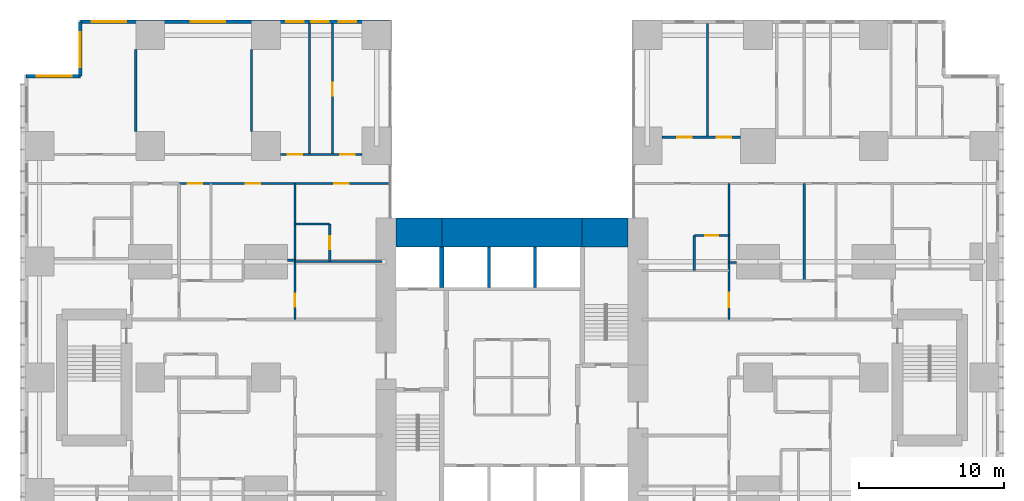
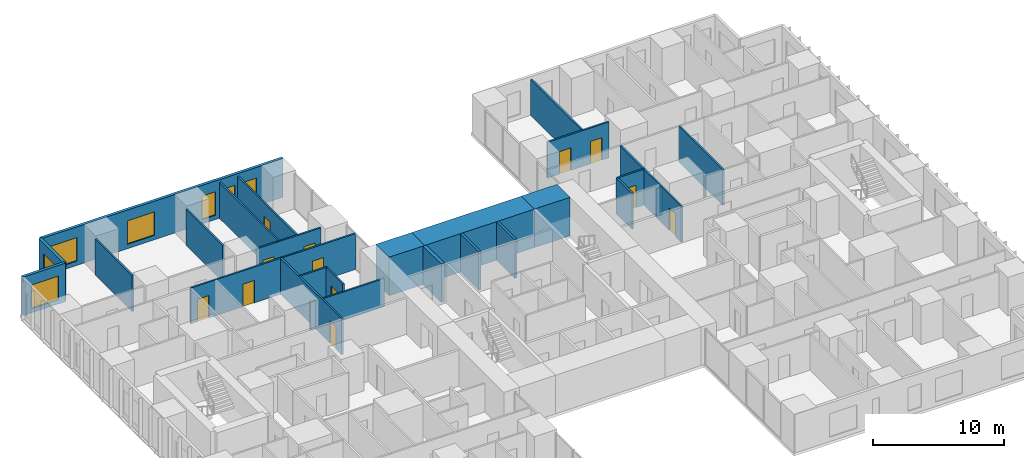
# One storey, part 17 of 20: 27 walls, 12 doors, 7 windows, 19 openings.
"""IFC4 building model written with IfcOpenShell, lengths in metres."""

import ifcopenshell
import ifcopenshell.guid

model = None  # the IFC model being written
_history = None  # IfcOwnerHistory: only IFC2X3 demands one
_inside = {}  # id of a spatial element -> (the spatial element, [elements in it])
_under = {}  # id of a project, library or spatial element -> (it, [spatial elements below it])
_declared = {}  # id of a project -> (the project, [libraries it declares])
_typed = {}  # id of a type object -> (the type object, [elements of that type])
_made_of = {}  # id of a material, layer set ... -> (it, [elements and type objects made of it])


def new_model(schema):
    """Start an empty IFC model of exactly this schema.

    Asked for "IFC4X3", IfcOpenShell would pick the latest addendum, in which some entities
    have other attributes; the version numbers below select the first issue.
    IFC2X3 requires an IfcOwnerHistory on every rooted entity: one is made here for all.
    """
    global model, _history
    if schema == "IFC4X3":
        model = ifcopenshell.file(schema_version=(4, 3, 0, 0))
    else:
        model = ifcopenshell.file(schema=schema)
    _inside.clear()
    _under.clear()
    _declared.clear()
    _typed.clear()
    _made_of.clear()
    _history = None
    if model.schema == "IFC2X3":
        org = make("IfcOrganization", Name="unknown")
        user = make(
            "IfcPersonAndOrganization",
            ThePerson=make("IfcPerson", FamilyName="unknown"),
            TheOrganization=org,
        )
        app = make(
            "IfcApplication",
            ApplicationDeveloper=org,
            Version="unknown",
            ApplicationFullName="unknown",
            ApplicationIdentifier="unknown",
        )
        _history = make(
            "IfcOwnerHistory",
            OwningUser=user,
            OwningApplication=app,
            ChangeAction="ADDED",
            CreationDate=0,
        )
    return model


def make(cls, **values):
    """One entity of the class cls with the attributes given. An attribute that is None is left unset."""
    return model.create_entity(
        cls, **{name: value for name, value in values.items() if value is not None}
    )


def rooted(cls, **values):
    """An entity with a GlobalId (a new one), such as an element, a storey or a relation."""
    return make(cls, GlobalId=ifcopenshell.guid.new(), OwnerHistory=_history, **values)


def si_unit(unit_type, name, prefix=None):
    """IfcSIUnit, for example si_unit("LENGTHUNIT", "METRE", prefix="MILLI")."""
    return make("IfcSIUnit", UnitType=unit_type, Prefix=prefix, Name=name)


def assignment(units):
    """IfcUnitAssignment: the units of a project."""
    return None if units is None else make("IfcUnitAssignment", Units=units)


def point(xyz):
    """IfcCartesianPoint."""
    return None if xyz is None else make("IfcCartesianPoint", Coordinates=xyz)


def direction(xyz):
    """IfcDirection."""
    return None if xyz is None else make("IfcDirection", DirectionRatios=xyz)


def frame(location, z_axis=None, x_axis=None):
    """IfcAxis2Placement3D, a coordinate frame: its origin and axes. An axis left out is left unset."""
    return make(
        "IfcAxis2Placement3D",
        Location=point(location),
        Axis=direction(z_axis),
        RefDirection=direction(x_axis),
    )


def frame_2d(location, x_axis=None):
    """IfcAxis2Placement2D, a coordinate frame in the plane: its origin and x axis."""
    return make(
        "IfcAxis2Placement2D", Location=point(location), RefDirection=direction(x_axis)
    )


def origin():
    """The frame at (0, 0, 0) with its axes left unset."""
    return frame((0.0, 0.0, 0.0))


def place(relative_to, where):
    """IfcLocalPlacement: puts the frame where relative to a parent placement (None: the world)."""
    return make(
        "IfcLocalPlacement", PlacementRelTo=relative_to, RelativePlacement=where
    )


def context(
    kind, dimensions, precision=None, world=None, true_north=None, identifier=None
):
    """IfcGeometricRepresentationContext, for example the 3D "Model" context."""
    return make(
        "IfcGeometricRepresentationContext",
        ContextIdentifier=identifier,
        ContextType=kind,
        CoordinateSpaceDimension=dimensions,
        Precision=precision,
        WorldCoordinateSystem=world,
        TrueNorth=true_north,
    )


def subcontext(parent, identifier, kind, view, scale=None):
    """IfcGeometricRepresentationSubContext, for example "Body" below "Model"."""
    return make(
        "IfcGeometricRepresentationSubContext",
        ContextIdentifier=identifier,
        ContextType=kind,
        ParentContext=parent,
        TargetScale=scale,
        TargetView=view,
    )


def project(units=None, contexts=None):
    """IfcProject with its units and contexts."""
    return rooted(
        "IfcProject",
        Name="project",
        RepresentationContexts=contexts,
        UnitsInContext=assignment(units),
    )


def spatial(cls, under=None, at=None, **own):
    """A site, building, storey or space (cls), placed at a placement, below another one or the project."""
    s = rooted(cls, ObjectPlacement=at, **own)
    if under is not None:
        _under.setdefault(under.id(), (under, []))[1].append(s)
    return s


def profile(cls, at=None, kind="AREA", **sizes):
    """A parametric profile (cls). Its sizes go by their IFC names, for example OverallWidth=200.0."""
    return make(cls, ProfileType=kind, Position=at, **sizes)


def rectangle(**sizes):
    """IfcRectangleProfileDef."""
    return profile("IfcRectangleProfileDef", **sizes)


def extrude(swept, where, along, depth):
    """IfcExtrudedAreaSolid: the profile swept, set in the frame where, extruded along a direction by depth."""
    return make(
        "IfcExtrudedAreaSolid",
        SweptArea=swept,
        Position=where,
        ExtrudedDirection=direction(along),
        Depth=depth,
    )


def shape(context_of_items, identifier, shape_type, items):
    """IfcShapeRepresentation: the items that make up one representation, for example the "Body"."""
    return make(
        "IfcShapeRepresentation",
        ContextOfItems=context_of_items,
        RepresentationIdentifier=identifier,
        RepresentationType=shape_type,
        Items=items,
    )


def material(Name=None, Category=None):
    """IfcMaterial."""
    return make("IfcMaterial", Name=Name, Category=Category)


def layer(
    of_material, thickness, ventilated=None, Name=None, Category=None, Priority=None
):
    """IfcMaterialLayer: one layer of a wall or slab, of a material (None: an air gap)."""
    return make(
        "IfcMaterialLayer",
        Material=of_material,
        LayerThickness=thickness,
        IsVentilated=ventilated,
        Name=Name,
        Category=Category,
        Priority=Priority,
    )


def layer_set(layers, Name=None):
    """IfcMaterialLayerSet."""
    return make("IfcMaterialLayerSet", MaterialLayers=layers, LayerSetName=Name)


def made_of(thing, what):
    """Note that an element or type object is made of a material, layer set ...; save() writes the relation."""
    if what is not None:
        _made_of.setdefault(what.id(), (what, []))[1].append(thing)
    return thing


def type_object(cls, material=None, **own):
    """A type object (cls), such as IfcWallType, which elements share."""
    return made_of(rooted(cls, **own), material)


def element(
    cls,
    number,
    at=None,
    inside=None,
    cuts=None,
    type_object=None,
    material=None,
    context=None,
    identifier="Body",
    shape_type=None,
    held_by="IfcProductDefinitionShape",
    body=None,
    shapes=None,
    **own,
):
    """One element of the class cls, such as IfcWall. Its Tag is "e" and its number.

    at: its placement. inside: the storey or other place that contains it. cuts: it is an
    opening in that element (IfcRelVoidsElement). A single representation is given by context,
    identifier, shape_type and body (its items); several are given by shapes. held_by: the class
    of the entity that holds the representations. save() writes the other relations.
    """
    e = rooted(cls, Tag="e%d" % number, ObjectPlacement=at, **own)
    if body is not None:
        shapes = [shape(context, identifier, shape_type, body)]
    if shapes is not None:
        e.Representation = make(held_by, Representations=shapes)
    if inside is not None:
        _inside.setdefault(inside.id(), (inside, []))[1].append(e)
    if cuts is not None:
        rooted(
            "IfcRelVoidsElement", RelatingBuildingElement=cuts, RelatedOpeningElement=e
        )
    if type_object is not None:
        _typed.setdefault(type_object.id(), (type_object, []))[1].append(e)
    return made_of(e, material)


def fill(opening, filler):
    """IfcRelFillsElement: the door or window that sits in an opening."""
    return rooted(
        "IfcRelFillsElement",
        RelatingOpeningElement=opening,
        RelatedBuildingElement=filler,
    )


def aggregate(whole, parts):
    """IfcRelAggregates: a whole, such as a stair, and the parts it consists of."""
    return rooted("IfcRelAggregates", RelatingObject=whole, RelatedObjects=parts)


def save(model, path):
    """Write the relations noted so far, then the file.

    IfcRelAggregates (storeys below a building ...), IfcRelContainedInSpatialStructure (elements
    in a storey), IfcRelDefinesByType, IfcRelAssociatesMaterial and IfcRelDeclares: one each for
    every whole, place, type object, material and project.
    """
    for whole, parts in _under.values():
        aggregate(whole, parts)
    for where, things in _inside.values():
        rooted(
            "IfcRelContainedInSpatialStructure",
            RelatedElements=things,
            RelatingStructure=where,
        )
    for kind, things in _typed.values():
        rooted("IfcRelDefinesByType", RelatedObjects=things, RelatingType=kind)
    for what, things in _made_of.values():
        rooted("IfcRelAssociatesMaterial", RelatedObjects=things, RelatingMaterial=what)
    for by, libraries in _declared.values():
        rooted("IfcRelDeclares", RelatingContext=by, RelatedDefinitions=libraries)
    model.write(path)


model = new_model("IFC4")

# Units and contexts
model_context = context("Model", 3, precision=1e-05, world=origin(), true_north=direction((0.0, 1.0)))
body_context = subcontext(model_context, "Body", "Model", "MODEL_VIEW")
ifc_project = project(units=[si_unit("LENGTHUNIT", "METRE"), si_unit("AREAUNIT", "SQUARE_METRE"), si_unit("VOLUMEUNIT", "CUBIC_METRE"), si_unit("PLANEANGLEUNIT", "RADIAN"), si_unit("MASSUNIT", "GRAM", prefix="KILO")], contexts=[model_context])

# Site, building, storey
site_placement = place(None, origin())
site = spatial("IfcSite", under=ifc_project, at=site_placement, CompositionType="ELEMENT")
building_placement = place(site_placement, origin())
building = spatial("IfcBuilding", under=site, at=building_placement, Name="Cleftline Residences", CompositionType="ELEMENT")
storey_placement = place(building_placement, frame((0.0, 0.0, 139.39990234375)))
storey = spatial("IfcBuildingStorey", under=building, at=storey_placement, Name="L36", CompositionType="ELEMENT", Elevation=139.39990234375)

# Walls
ifc_material_1 = material(Name="Concrete B70", Category="concrete")
ifc_layer_1 = layer(ifc_material_1, 2.0)
ifc_layer_set_1 = layer_set([ifc_layer_1], Name="CORE WALL 2000")
wall_type_1 = type_object("IfcWallType", Name="CORE WALL 2000", PredefinedType="SHEAR", material=ifc_layer_set_1)
wall_1_placement = place(storey_placement, frame((25.0, 34.0, 0.0), z_axis=(0.0, 0.0, 1.0), x_axis=(1.0, 0.0, 0.0)))
element("IfcWall", 1, at=wall_1_placement, inside=storey, type_object=wall_type_1, Name="Core wall N1", PredefinedType="SHEAR", context=body_context, shape_type="SweptSolid", body=[
    extrude(rectangle(XDim=3.14990234375, YDim=2.0, at=frame_2d((1.574951171875, 0.0))), origin(), (0.0, 0.0, 1.0), 3.60009765625),
])
wall_2_placement = place(storey_placement, frame((28.14990234375, 34.0, 0.0), z_axis=(0.0, 0.0, 1.0), x_axis=(1.0, 0.0, 0.0)))
element("IfcWall", 2, at=wall_2_placement, inside=storey, type_object=wall_type_1, Name="Core wall N2", PredefinedType="SHEAR", context=body_context, shape_type="SweptSolid", body=[
    extrude(rectangle(XDim=9.7001953125, YDim=2.0, at=frame_2d((4.85009765625, 0.0))), origin(), (0.0, 0.0, 1.0), 3.60009765625),
])
wall_3_placement = place(storey_placement, frame((37.85009765625, 34.0, 0.0), z_axis=(0.0, 0.0, 1.0), x_axis=(1.0, 0.0, 0.0)))
element("IfcWall", 3, at=wall_3_placement, inside=storey, type_object=wall_type_1, Name="Core wall N3", PredefinedType="SHEAR", context=body_context, shape_type="SweptSolid", body=[
    extrude(rectangle(XDim=3.14990234375, YDim=2.0, at=frame_2d((1.574951171875, 0.0))), origin(), (0.0, 0.0, 1.0), 3.60009765625),
])
ifc_material_2 = material(Name="Concrete B70", Category="concrete")
ifc_layer_2 = layer(ifc_material_2, 0.300048828125)
ifc_layer_set_2 = layer_set([ifc_layer_2], Name="CORE WALL 300")
wall_type_2 = type_object("IfcWallType", Name="CORE WALL 300", PredefinedType="SHEAR", material=ifc_layer_set_2)
wall_4_placement = place(storey_placement, frame((28.14990234375, 30.199951171875, 0.0), z_axis=(0.0, 0.0, 1.0), x_axis=(0.0, 1.0, 0.0)))
element("IfcWall", 4, at=wall_4_placement, inside=storey, type_object=wall_type_2, Name="Lift shaft wall", PredefinedType="SHEAR", context=body_context, shape_type="SweptSolid", body=[
    extrude(rectangle(XDim=2.800048828125, YDim=0.300048828125, at=frame_2d((1.39990234375, 0.0))), origin(), (0.0, 0.0, 1.0), 3.60009765625),
])

# Wall, openings, windows
ifc_material_3 = material(Name="Rendered reinforced concrete blockwork", Category="masonry")
ifc_layer_3 = layer(ifc_material_3, 0.25)
ifc_layer_set_3 = layer_set([ifc_layer_3], Name="EXTERNAL WALL 250")
wall_type_3 = type_object("IfcWallType", Name="EXTERNAL WALL 250", PredefinedType="SOLIDWALL", material=ifc_layer_set_3)
wall_5_placement = place(storey_placement, frame((24.574951171875, 48.574951171875, 0.0), z_axis=(0.0, 0.0, 1.0), x_axis=(-1.0, 0.0, 0.0)))
wall_5 = element("IfcWall", 5, at=wall_5_placement, inside=storey, type_object=wall_type_3, Name="External wall", PredefinedType="SOLIDWALL", context=body_context, shape_type="SweptSolid", body=[
    extrude(rectangle(XDim=21.39990234375, YDim=0.25, at=frame_2d((10.699951171875, 0.0))), origin(), (0.0, 0.0, 1.0), 3.60009765625),
])
opening_1_placement = place(wall_5_placement, frame((2.35009765625, 0.0, 0.39990234375)))
opening_1 = element("IfcOpeningElement", 6, at=opening_1_placement, cuts=wall_5, Name="Opening W11", PredefinedType="OPENING", context=body_context, shape_type="SweptSolid", body=[
    extrude(rectangle(XDim=1.199951171875, YDim=2.199951171875, at=frame_2d((0.60009765625, 1.10009765625))), frame((0.0, 0.135009765625, 0.0), z_axis=(0.0, -1.0, 0.0), x_axis=(1.0, 0.0, 0.0)), (0.0, 0.0, 1.0), 0.27001953125),
])
opening_2_placement = place(wall_5_placement, frame((4.25, 0.0, 0.39990234375)))
opening_2 = element("IfcOpeningElement", 7, at=opening_2_placement, cuts=wall_5, Name="Opening W11", PredefinedType="OPENING", context=body_context, shape_type="SweptSolid", body=[
    extrude(rectangle(XDim=1.199951171875, YDim=2.199951171875, at=frame_2d((0.60009765625, 1.10009765625))), frame((0.0, 0.135009765625, 0.0), z_axis=(0.0, -1.0, 0.0), x_axis=(1.0, 0.0, 0.0)), (0.0, 0.0, 1.0), 0.27001953125),
])
opening_3_placement = place(wall_5_placement, frame((5.97509765625, 0.0, 0.39990234375)))
opening_3 = element("IfcOpeningElement", 8, at=opening_3_placement, cuts=wall_5, Name="Opening W11", PredefinedType="OPENING", context=body_context, shape_type="SweptSolid", body=[
    extrude(rectangle(XDim=1.199951171875, YDim=2.199951171875, at=frame_2d((0.60009765625, 1.10009765625))), frame((0.0, 0.135009765625, 0.0), z_axis=(0.0, -1.0, 0.0), x_axis=(1.0, 0.0, 0.0)), (0.0, 0.0, 1.0), 0.27001953125),
])
opening_4_placement = place(wall_5_placement, frame((11.375, 0.0, 0.39990234375)))
opening_4 = element("IfcOpeningElement", 9, at=opening_4_placement, cuts=wall_5, Name="Opening W12", PredefinedType="OPENING", context=body_context, shape_type="SweptSolid", body=[
    extrude(rectangle(XDim=2.39990234375, YDim=2.199951171875, at=frame_2d((1.199951171875, 1.10009765625))), frame((0.0, 0.135009765625, 0.0), z_axis=(0.0, -1.0, 0.0), x_axis=(1.0, 0.0, 0.0)), (0.0, 0.0, 1.0), 0.27001953125),
])
opening_5_placement = place(wall_5_placement, frame((18.22509765625, 0.0, 0.39990234375)))
opening_5 = element("IfcOpeningElement", 10, at=opening_5_placement, cuts=wall_5, Name="Opening W12", PredefinedType="OPENING", context=body_context, shape_type="SweptSolid", body=[
    extrude(rectangle(XDim=2.39990234375, YDim=2.199951171875, at=frame_2d((1.199951171875, 1.10009765625))), frame((0.0, 0.135009765625, 0.0), z_axis=(0.0, -1.0, 0.0), x_axis=(1.0, 0.0, 0.0)), (0.0, 0.0, 1.0), 0.27001953125),
])
ifc_material_4 = material(Name="Aluminium frame, clear double glazing", Category="aluminium")
window_type_1 = type_object("IfcWindowType", Name="WINDOW 1200X2200", PartitioningType="DOUBLE_PANEL_VERTICAL", PredefinedType="WINDOW", material=ifc_material_4)
window_1_placement = place(opening_1_placement, origin())
window_1 = element("IfcWindow", 11, at=window_1_placement, inside=storey, type_object=window_type_1, Name="Window", OverallHeight=2.199951171875, OverallWidth=1.199951171875, PartitioningType="SINGLE_PANEL", PredefinedType="WINDOW", context=body_context, shape_type="SweptSolid", body=[
    extrude(rectangle(XDim=1.199951171875, YDim=2.199951171875, at=frame_2d((0.60009765625, 1.10009765625))), frame((0.0, 0.030029296875, 0.0), z_axis=(0.0, -1.0, 0.0), x_axis=(1.0, 0.0, 0.0)), (0.0, 0.0, 1.0), 0.06005859375),
])
fill(opening_1, window_1)
window_2_placement = place(opening_2_placement, origin())
window_2 = element("IfcWindow", 12, at=window_2_placement, inside=storey, type_object=window_type_1, Name="Window", OverallHeight=2.199951171875, OverallWidth=1.199951171875, PartitioningType="SINGLE_PANEL", PredefinedType="WINDOW", context=body_context, shape_type="SweptSolid", body=[
    extrude(rectangle(XDim=1.199951171875, YDim=2.199951171875, at=frame_2d((0.60009765625, 1.10009765625))), frame((0.0, 0.030029296875, 0.0), z_axis=(0.0, -1.0, 0.0), x_axis=(1.0, 0.0, 0.0)), (0.0, 0.0, 1.0), 0.06005859375),
])
fill(opening_2, window_2)
window_3_placement = place(opening_3_placement, origin())
window_3 = element("IfcWindow", 13, at=window_3_placement, inside=storey, type_object=window_type_1, Name="Window", OverallHeight=2.199951171875, OverallWidth=1.199951171875, PartitioningType="SINGLE_PANEL", PredefinedType="WINDOW", context=body_context, shape_type="SweptSolid", body=[
    extrude(rectangle(XDim=1.199951171875, YDim=2.199951171875, at=frame_2d((0.60009765625, 1.10009765625))), frame((0.0, 0.030029296875, 0.0), z_axis=(0.0, -1.0, 0.0), x_axis=(1.0, 0.0, 0.0)), (0.0, 0.0, 1.0), 0.06005859375),
])
fill(opening_3, window_3)
ifc_material_5 = material(Name="Aluminium frame, clear double glazing", Category="aluminium")
window_type_2 = type_object("IfcWindowType", Name="WINDOW 2400X2200", PartitioningType="DOUBLE_PANEL_VERTICAL", PredefinedType="WINDOW", material=ifc_material_5)
window_4_placement = place(opening_4_placement, origin())
window_4 = element("IfcWindow", 14, at=window_4_placement, inside=storey, type_object=window_type_2, Name="Window", OverallHeight=2.199951171875, OverallWidth=2.39990234375, PartitioningType="SINGLE_PANEL", PredefinedType="WINDOW", context=body_context, shape_type="SweptSolid", body=[
    extrude(rectangle(XDim=2.39990234375, YDim=2.199951171875, at=frame_2d((1.199951171875, 1.10009765625))), frame((0.0, 0.030029296875, 0.0), z_axis=(0.0, -1.0, 0.0), x_axis=(1.0, 0.0, 0.0)), (0.0, 0.0, 1.0), 0.06005859375),
])
fill(opening_4, window_4)
window_5_placement = place(opening_5_placement, origin())
window_5 = element("IfcWindow", 15, at=window_5_placement, inside=storey, type_object=window_type_2, Name="Window", OverallHeight=2.199951171875, OverallWidth=2.39990234375, PartitioningType="SINGLE_PANEL", PredefinedType="WINDOW", context=body_context, shape_type="SweptSolid", body=[
    extrude(rectangle(XDim=2.39990234375, YDim=2.199951171875, at=frame_2d((1.199951171875, 1.10009765625))), frame((0.0, 0.030029296875, 0.0), z_axis=(0.0, -1.0, 0.0), x_axis=(1.0, 0.0, 0.0)), (0.0, 0.0, 1.0), 0.06005859375),
])
fill(opening_5, window_5)

# Wall, opening, window
wall_6_placement = place(storey_placement, frame((3.175048828125, 48.574951171875, 0.0), z_axis=(0.0, 0.0, 1.0), x_axis=(0.0, -1.0, 0.0)))
wall_6 = element("IfcWall", 16, at=wall_6_placement, inside=storey, type_object=wall_type_3, Name="External wall", PredefinedType="SOLIDWALL", context=body_context, shape_type="SweptSolid", body=[
    extrude(rectangle(XDim=3.75, YDim=0.25, at=frame_2d((1.875, 0.0))), origin(), (0.0, 0.0, 1.0), 3.60009765625),
])
opening_6_placement = place(wall_6_placement, frame((0.737548828125, 0.0, 0.39990234375)))
opening_6 = element("IfcOpeningElement", 17, at=opening_6_placement, cuts=wall_6, Name="Opening W12", PredefinedType="OPENING", context=body_context, shape_type="SweptSolid", body=[
    extrude(rectangle(XDim=2.39990234375, YDim=2.199951171875, at=frame_2d((1.199951171875, 1.10009765625))), frame((0.0, 0.135009765625, 0.0), z_axis=(0.0, -1.0, 0.0), x_axis=(1.0, 0.0, 0.0)), (0.0, 0.0, 1.0), 0.27001953125),
])
window_6_placement = place(opening_6_placement, origin())
window_6 = element("IfcWindow", 18, at=window_6_placement, inside=storey, type_object=window_type_2, Name="Window", OverallHeight=2.199951171875, OverallWidth=2.39990234375, PartitioningType="SINGLE_PANEL", PredefinedType="WINDOW", context=body_context, shape_type="SweptSolid", body=[
    extrude(rectangle(XDim=2.39990234375, YDim=2.199951171875, at=frame_2d((1.199951171875, 1.10009765625))), frame((0.0, 0.030029296875, 0.0), z_axis=(0.0, -1.0, 0.0), x_axis=(1.0, 0.0, 0.0)), (0.0, 0.0, 1.0), 0.06005859375),
])
fill(opening_6, window_6)

wall_7_placement = place(storey_placement, frame((3.175048828125, 44.824951171875, 0.0), z_axis=(0.0, 0.0, 1.0), x_axis=(-1.0, 0.0, 0.0)))
wall_7 = element("IfcWall", 19, at=wall_7_placement, inside=storey, type_object=wall_type_3, Name="External wall", PredefinedType="SOLIDWALL", context=body_context, shape_type="SweptSolid", body=[
    extrude(rectangle(XDim=3.75, YDim=0.25, at=frame_2d((1.875, 0.0))), origin(), (0.0, 0.0, 1.0), 3.60009765625),
])
opening_7_placement = place(wall_7_placement, frame((0.612548828125, 0.0, 0.39990234375)))
opening_7 = element("IfcOpeningElement", 20, at=opening_7_placement, cuts=wall_7, Name="Opening W12", PredefinedType="OPENING", context=body_context, shape_type="SweptSolid", body=[
    extrude(rectangle(XDim=2.39990234375, YDim=2.199951171875, at=frame_2d((1.199951171875, 1.10009765625))), frame((0.0, 0.135009765625, 0.0), z_axis=(0.0, -1.0, 0.0), x_axis=(1.0, 0.0, 0.0)), (0.0, 0.0, 1.0), 0.27001953125),
])
window_7_placement = place(opening_7_placement, origin())
window_7 = element("IfcWindow", 21, at=window_7_placement, inside=storey, type_object=window_type_2, Name="Window", OverallHeight=2.199951171875, OverallWidth=2.39990234375, PartitioningType="SINGLE_PANEL", PredefinedType="WINDOW", context=body_context, shape_type="SweptSolid", body=[
    extrude(rectangle(XDim=2.39990234375, YDim=2.199951171875, at=frame_2d((1.199951171875, 1.10009765625))), frame((0.0, 0.030029296875, 0.0), z_axis=(0.0, -1.0, 0.0), x_axis=(1.0, 0.0, 0.0)), (0.0, 0.0, 1.0), 0.06005859375),
])
fill(opening_7, window_7)

# Walls
ifc_material_6 = material(Name="Gypsum board on steel studs", Category="steel")
ifc_layer_4 = layer(ifc_material_6, 0.14990234375)
ifc_layer_set_4 = layer_set([ifc_layer_4], Name="PARTITION 150")
wall_type_4 = type_object("IfcWallType", Name="PARTITION 150", PredefinedType="PARTITIONING", material=ifc_layer_set_4)
wall_8_placement = place(storey_placement, frame((48.0, 31.949951171875, 0.0), z_axis=(0.0, 0.0, 1.0), x_axis=(1.0, 0.0, 0.0)))
element("IfcWall", 22, at=wall_8_placement, inside=storey, type_object=wall_type_4, Name="Partition", PredefinedType="PARTITIONING", context=body_context, shape_type="SweptSolid", body=[
    extrude(rectangle(XDim=0.5, YDim=0.14990234375, at=frame_2d((0.25, 0.0))), origin(), (0.0, 0.0, 1.0), 2.634033203125),
])
wall_9_placement = place(storey_placement, frame((18.0, 32.0, 0.0), z_axis=(0.0, 0.0, 1.0), x_axis=(1.0, 0.0, 0.0)))
element("IfcWall", 23, at=wall_9_placement, inside=storey, type_object=wall_type_4, Name="Partition", PredefinedType="PARTITIONING", context=body_context, shape_type="SweptSolid", body=[
    extrude(rectangle(XDim=6.0, YDim=0.14990234375, at=frame_2d((3.0, 0.0))), origin(), (0.0, 0.0, 1.0), 2.634033203125),
])
wall_10_placement = place(storey_placement, frame((17.5, 32.10009765625, 0.0), z_axis=(0.0, 0.0, 1.0), x_axis=(1.0, 0.0, 0.0)))
element("IfcWall", 24, at=wall_10_placement, inside=storey, type_object=wall_type_4, Name="Partition", PredefinedType="PARTITIONING", context=body_context, shape_type="SweptSolid", body=[
    extrude(rectangle(XDim=0.5, YDim=0.14990234375, at=frame_2d((0.25, 0.0))), origin(), (0.0, 0.0, 1.0), 2.634033203125),
])

# Wall, opening, door
wall_11_placement = place(storey_placement, frame((45.60009765625, 33.800048828125, 0.0), z_axis=(0.0, 0.0, 1.0), x_axis=(1.0, 0.0, 0.0)))
wall_11 = element("IfcWall", 25, at=wall_11_placement, inside=storey, type_object=wall_type_4, Name="Partition", PredefinedType="PARTITIONING", context=body_context, shape_type="SweptSolid", body=[
    extrude(rectangle(XDim=2.39990234375, YDim=0.14990234375, at=frame_2d((1.199951171875, 0.0))), origin(), (0.0, 0.0, 1.0), 3.35009765625),
])
opening_8_placement = place(wall_11_placement, frame((0.75, 0.0, 0.0)))
opening_8 = element("IfcOpeningElement", 26, at=opening_8_placement, cuts=wall_11, Name="Opening D1", PredefinedType="OPENING", context=body_context, shape_type="SweptSolid", body=[
    extrude(rectangle(XDim=0.89990234375, YDim=2.10009765625, at=frame_2d((0.449951171875, 1.050048828125))), frame((0.0, 0.0849609375, 0.0), z_axis=(0.0, -1.0, 0.0), x_axis=(1.0, 0.0, 0.0)), (0.0, 0.0, 1.0), 0.169921875),
])
ifc_material_7 = material(Name="Timber veneer on solid core", Category="wood")
door_type_1 = type_object("IfcDoorType", Name="DOOR 900X2100", OperationType="SINGLE_SWING_LEFT", PredefinedType="DOOR", material=ifc_material_7)
door_1_placement = place(opening_8_placement, origin())
door_1 = element("IfcDoor", 27, at=door_1_placement, inside=storey, type_object=door_type_1, Name="Door to staff shower room", OperationType="SINGLE_SWING_LEFT", OverallHeight=2.10009765625, OverallWidth=0.89990234375, PredefinedType="DOOR", context=body_context, shape_type="SweptSolid", body=[
    extrude(rectangle(XDim=0.89990234375, YDim=2.10009765625, at=frame_2d((0.449951171875, 1.050048828125))), frame((0.0, 0.02490234375, 0.0), z_axis=(0.0, -1.0, 0.0), x_axis=(1.0, 0.0, 0.0)), (0.0, 0.0, 1.0), 0.050048828125),
])
fill(opening_8, door_1)

# Wall
wall_12_placement = place(storey_placement, frame((18.0, 34.60009765625, 0.0), z_axis=(0.0, 0.0, 1.0), x_axis=(1.0, 0.0, 0.0)))
element("IfcWall", 28, at=wall_12_placement, inside=storey, type_object=wall_type_4, Name="Partition", PredefinedType="PARTITIONING", context=body_context, shape_type="SweptSolid", body=[
    extrude(rectangle(XDim=2.39990234375, YDim=0.14990234375, at=frame_2d((1.199951171875, 0.0))), origin(), (0.0, 0.0, 1.0), 3.35009765625),
])

# Wall, openings, doors
wall_13_placement = place(storey_placement, frame((10.0, 37.39990234375, 0.0), z_axis=(0.0, 0.0, 1.0), x_axis=(1.0, 0.0, 0.0)))
wall_13 = element("IfcWall", 29, at=wall_13_placement, inside=storey, type_object=wall_type_4, Name="Partition", PredefinedType="PARTITIONING", context=body_context, shape_type="SweptSolid", body=[
    extrude(rectangle(XDim=14.56103515625, YDim=0.14990234375, at=frame_2d((7.280517578125, 0.0))), origin(), (0.0, 0.0, 1.0), 3.35009765625),
])
opening_9_placement = place(wall_13_placement, frame((0.60009765625, 0.0, 0.0)))
opening_9 = element("IfcOpeningElement", 30, at=opening_9_placement, cuts=wall_13, Name="Opening D2F30", PredefinedType="OPENING", context=body_context, shape_type="SweptSolid", body=[
    extrude(rectangle(XDim=1.0, YDim=2.10009765625, at=frame_2d((0.5, 1.050048828125))), frame((0.0, 0.0849609375, 0.0), z_axis=(0.0, -1.0, 0.0), x_axis=(1.0, 0.0, 0.0)), (0.0, 0.0, 1.0), 0.169921875),
])
opening_10_placement = place(wall_13_placement, frame((4.60009765625, 0.0, 0.0)))
opening_10 = element("IfcOpeningElement", 31, at=opening_10_placement, cuts=wall_13, Name="Opening D2F30", PredefinedType="OPENING", context=body_context, shape_type="SweptSolid", body=[
    extrude(rectangle(XDim=1.0, YDim=2.10009765625, at=frame_2d((0.5, 1.050048828125))), frame((0.0, 0.0849609375, 0.0), z_axis=(0.0, -1.0, 0.0), x_axis=(1.0, 0.0, 0.0)), (0.0, 0.0, 1.0), 0.169921875),
])
opening_11_placement = place(wall_13_placement, frame((10.72509765625, 0.0, 0.0)))
opening_11 = element("IfcOpeningElement", 32, at=opening_11_placement, cuts=wall_13, Name="Opening D2F30", PredefinedType="OPENING", context=body_context, shape_type="SweptSolid", body=[
    extrude(rectangle(XDim=1.0, YDim=2.10009765625, at=frame_2d((0.5, 1.050048828125))), frame((0.0, 0.0849609375, 0.0), z_axis=(0.0, -1.0, 0.0), x_axis=(1.0, 0.0, 0.0)), (0.0, 0.0, 1.0), 0.169921875),
])
ifc_material_8 = material(Name="Timber veneer on solid core", Category="wood")
door_type_2 = type_object("IfcDoorType", Name="DOOR 1000X2100 EI 30", OperationType="SINGLE_SWING_LEFT", PredefinedType="DOOR", material=ifc_material_8)
door_2_placement = place(opening_9_placement, origin())
door_2 = element("IfcDoor", 33, at=door_2_placement, inside=storey, type_object=door_type_2, Name="Door to residence hall (gallery)", OperationType="SINGLE_SWING_RIGHT", OverallHeight=2.10009765625, OverallWidth=1.0, PredefinedType="DOOR", context=body_context, shape_type="SweptSolid", body=[
    extrude(rectangle(XDim=1.0, YDim=2.10009765625, at=frame_2d((0.5, 1.050048828125))), frame((0.0, 0.02490234375, 0.0), z_axis=(0.0, -1.0, 0.0), x_axis=(1.0, 0.0, 0.0)), (0.0, 0.0, 1.0), 0.050048828125),
])
fill(opening_9, door_2)
door_3_placement = place(opening_10_placement, origin())
door_3 = element("IfcDoor", 34, at=door_3_placement, inside=storey, type_object=door_type_2, Name="Door to study", OperationType="SINGLE_SWING_RIGHT", OverallHeight=2.10009765625, OverallWidth=1.0, PredefinedType="DOOR", context=body_context, shape_type="SweptSolid", body=[
    extrude(rectangle(XDim=1.0, YDim=2.10009765625, at=frame_2d((0.5, 1.050048828125))), frame((0.0, 0.02490234375, 0.0), z_axis=(0.0, -1.0, 0.0), x_axis=(1.0, 0.0, 0.0)), (0.0, 0.0, 1.0), 0.050048828125),
])
fill(opening_10, door_3)
door_4_placement = place(opening_11_placement, origin())
door_4 = element("IfcDoor", 35, at=door_4_placement, inside=storey, type_object=door_type_2, Name="Door to bedroom 2", OperationType="SINGLE_SWING_LEFT", OverallHeight=2.10009765625, OverallWidth=1.0, PredefinedType="DOOR", context=body_context, shape_type="SweptSolid", body=[
    extrude(rectangle(XDim=1.0, YDim=2.10009765625, at=frame_2d((0.5, 1.050048828125))), frame((0.0, 0.02490234375, 0.0), z_axis=(0.0, -1.0, 0.0), x_axis=(1.0, 0.0, 0.0)), (0.0, 0.0, 1.0), 0.050048828125),
])
fill(opening_11, door_4)

wall_14_placement = place(storey_placement, frame((17.0, 39.39990234375, 0.0), z_axis=(0.0, 0.0, 1.0), x_axis=(1.0, 0.0, 0.0)))
wall_14 = element("IfcWall", 36, at=wall_14_placement, inside=storey, type_object=wall_type_4, Name="Partition", PredefinedType="PARTITIONING", context=body_context, shape_type="SweptSolid", body=[
    extrude(rectangle(XDim=5.64990234375, YDim=0.14990234375, at=frame_2d((2.824951171875, 0.0))), origin(), (0.0, 0.0, 1.0), 3.35009765625),
])
opening_12_placement = place(wall_14_placement, frame((0.5, 0.0, 0.0)))
opening_12 = element("IfcOpeningElement", 37, at=opening_12_placement, cuts=wall_14, Name="Opening D2", PredefinedType="OPENING", context=body_context, shape_type="SweptSolid", body=[
    extrude(rectangle(XDim=1.0, YDim=2.10009765625, at=frame_2d((0.5, 1.050048828125))), frame((0.0, 0.0849609375, 0.0), z_axis=(0.0, -1.0, 0.0), x_axis=(1.0, 0.0, 0.0)), (0.0, 0.0, 1.0), 0.169921875),
])
opening_13_placement = place(wall_14_placement, frame((4.125, 0.0, 0.0)))
opening_13 = element("IfcOpeningElement", 38, at=opening_13_placement, cuts=wall_14, Name="Opening D2", PredefinedType="OPENING", context=body_context, shape_type="SweptSolid", body=[
    extrude(rectangle(XDim=1.0, YDim=2.10009765625, at=frame_2d((0.5, 1.050048828125))), frame((0.0, 0.0849609375, 0.0), z_axis=(0.0, -1.0, 0.0), x_axis=(1.0, 0.0, 0.0)), (0.0, 0.0, 1.0), 0.169921875),
])
ifc_material_9 = material(Name="Timber veneer on solid core", Category="wood")
door_type_3 = type_object("IfcDoorType", Name="DOOR 1000X2100", OperationType="SINGLE_SWING_LEFT", PredefinedType="DOOR", material=ifc_material_9)
door_5_placement = place(opening_12_placement, origin())
door_5 = element("IfcDoor", 39, at=door_5_placement, inside=storey, type_object=door_type_3, Name="Door to dining room", OperationType="SINGLE_SWING_RIGHT", OverallHeight=2.10009765625, OverallWidth=1.0, PredefinedType="DOOR", context=body_context, shape_type="SweptSolid", body=[
    extrude(rectangle(XDim=1.0, YDim=2.10009765625, at=frame_2d((0.5, 1.050048828125))), frame((0.0, 0.02490234375, 0.0), z_axis=(0.0, -1.0, 0.0), x_axis=(1.0, 0.0, 0.0)), (0.0, 0.0, 1.0), 0.050048828125),
])
fill(opening_12, door_5)
door_6_placement = place(opening_13_placement, origin())
door_6 = element("IfcDoor", 40, at=door_6_placement, inside=storey, type_object=door_type_3, Name="Door to show kitchen", OperationType="SINGLE_SWING_LEFT", OverallHeight=2.10009765625, OverallWidth=1.0, PredefinedType="DOOR", context=body_context, shape_type="SweptSolid", body=[
    extrude(rectangle(XDim=1.0, YDim=2.10009765625, at=frame_2d((0.5, 1.050048828125))), frame((0.0, 0.02490234375, 0.0), z_axis=(0.0, -1.0, 0.0), x_axis=(1.0, 0.0, 0.0)), (0.0, 0.0, 1.0), 0.050048828125),
])
fill(opening_13, door_6)

wall_15_placement = place(storey_placement, frame((43.35009765625, 40.60009765625, 0.0), z_axis=(0.0, 0.0, 1.0), x_axis=(1.0, 0.0, 0.0)))
wall_15 = element("IfcWall", 41, at=wall_15_placement, inside=storey, type_object=wall_type_4, Name="Partition", PredefinedType="PARTITIONING", context=body_context, shape_type="SweptSolid", body=[
    extrude(rectangle(XDim=5.449951171875, YDim=0.14990234375, at=frame_2d((2.72509765625, 0.0))), origin(), (0.0, 0.0, 1.0), 3.35009765625),
])
opening_14_placement = place(wall_15_placement, frame((3.800048828125, 0.0, 0.0)))
opening_14 = element("IfcOpeningElement", 42, at=opening_14_placement, cuts=wall_15, Name="Opening D2", PredefinedType="OPENING", context=body_context, shape_type="SweptSolid", body=[
    extrude(rectangle(XDim=1.0, YDim=2.10009765625, at=frame_2d((0.5, 1.050048828125))), frame((0.0, 0.0849609375, 0.0), z_axis=(0.0, -1.0, 0.0), x_axis=(1.0, 0.0, 0.0)), (0.0, 0.0, 1.0), 0.169921875),
])
opening_15_placement = place(wall_15_placement, frame((1.074951171875, 0.0, 0.0)))
opening_15 = element("IfcOpeningElement", 43, at=opening_15_placement, cuts=wall_15, Name="Opening D2", PredefinedType="OPENING", context=body_context, shape_type="SweptSolid", body=[
    extrude(rectangle(XDim=1.0, YDim=2.10009765625, at=frame_2d((0.5, 1.050048828125))), frame((0.0, 0.0849609375, 0.0), z_axis=(0.0, -1.0, 0.0), x_axis=(1.0, 0.0, 0.0)), (0.0, 0.0, 1.0), 0.169921875),
])
door_7_placement = place(opening_14_placement, origin())
door_7 = element("IfcDoor", 44, at=door_7_placement, inside=storey, type_object=door_type_3, Name="Door to bedroom 4", OperationType="SINGLE_SWING_LEFT", OverallHeight=2.10009765625, OverallWidth=1.0, PredefinedType="DOOR", context=body_context, shape_type="SweptSolid", body=[
    extrude(rectangle(XDim=1.0, YDim=2.10009765625, at=frame_2d((0.5, 1.050048828125))), frame((0.0, 0.02490234375, 0.0), z_axis=(0.0, -1.0, 0.0), x_axis=(1.0, 0.0, 0.0)), (0.0, 0.0, 1.0), 0.050048828125),
])
fill(opening_14, door_7)
door_8_placement = place(opening_15_placement, origin())
door_8 = element("IfcDoor", 45, at=door_8_placement, inside=storey, type_object=door_type_3, Name="Door to bedroom 4 sitting room", OperationType="SINGLE_SWING_RIGHT", OverallHeight=2.10009765625, OverallWidth=1.0, PredefinedType="DOOR", context=body_context, shape_type="SweptSolid", body=[
    extrude(rectangle(XDim=1.0, YDim=2.10009765625, at=frame_2d((0.5, 1.050048828125))), frame((0.0, 0.02490234375, 0.0), z_axis=(0.0, -1.0, 0.0), x_axis=(1.0, 0.0, 0.0)), (0.0, 0.0, 1.0), 0.050048828125),
])
fill(opening_15, door_8)

# Walls
for number, where, z_axis, x_axis, name in (
    (46, (7.0, 41.0, 0.0), (0.0, 0.0, 1.0), (0.0, 1.0, 0.0), "Partition"),
    (47, (15.0, 41.0, 0.0), (0.0, 0.0, 1.0), (0.0, 1.0, 0.0), "Partition"),
):
    element("IfcWall", number, at=place(storey_placement, frame(where, z_axis=z_axis, x_axis=x_axis)), inside=storey, type_object=wall_type_4, Name=name, PredefinedType="PARTITIONING", context=body_context, shape_type="SweptSolid", body=[
        extrude(rectangle(XDim=5.64990234375, YDim=0.14990234375, at=frame_2d((2.824951171875, 0.0))), origin(), (0.0, 0.0, 1.0), 3.35009765625),
    ])

# Wall, opening, door
wall_16_placement = place(storey_placement, frame((18.0, 28.0, 0.0), z_axis=(0.0, 0.0, 1.0), x_axis=(0.0, 1.0, 0.0)))
wall_16 = element("IfcWall", 48, at=wall_16_placement, inside=storey, type_object=wall_type_4, Name="Partition", PredefinedType="PARTITIONING", context=body_context, shape_type="SweptSolid", body=[
    extrude(rectangle(XDim=9.39990234375, YDim=0.14990234375, at=frame_2d((4.699951171875, 0.0))), origin(), (0.0, 0.0, 1.0), 3.35009765625),
])
opening_16_placement = place(wall_16_placement, frame((0.887451171875, 0.0, 0.0)))
opening_16 = element("IfcOpeningElement", 49, at=opening_16_placement, cuts=wall_16, Name="Opening D1", PredefinedType="OPENING", context=body_context, shape_type="SweptSolid", body=[
    extrude(rectangle(XDim=0.89990234375, YDim=2.10009765625, at=frame_2d((0.449951171875, 1.050048828125))), frame((0.0, 0.0849609375, 0.0), z_axis=(0.0, -1.0, 0.0), x_axis=(1.0, 0.0, 0.0)), (0.0, 0.0, 1.0), 0.169921875),
])
door_9_placement = place(opening_16_placement, origin())
door_9 = element("IfcDoor", 50, at=door_9_placement, inside=storey, type_object=door_type_1, Name="Door to utility room", OperationType="SINGLE_SWING_RIGHT", OverallHeight=2.10009765625, OverallWidth=0.89990234375, PredefinedType="DOOR", context=body_context, shape_type="SweptSolid", body=[
    extrude(rectangle(XDim=0.89990234375, YDim=2.10009765625, at=frame_2d((0.449951171875, 1.050048828125))), frame((0.0, 0.02490234375, 0.0), z_axis=(0.0, -1.0, 0.0), x_axis=(1.0, 0.0, 0.0)), (0.0, 0.0, 1.0), 0.050048828125),
])
fill(opening_16, door_9)

# Wall
wall_17_placement = place(storey_placement, frame((19.0, 39.39990234375, 0.0), z_axis=(0.0, 0.0, 1.0), x_axis=(0.0, 1.0, 0.0)))
element("IfcWall", 51, at=wall_17_placement, inside=storey, type_object=wall_type_4, Name="Partition", PredefinedType="PARTITIONING", context=body_context, shape_type="SweptSolid", body=[
    extrude(rectangle(XDim=9.050048828125, YDim=0.14990234375, at=frame_2d((4.52490234375, 0.0))), origin(), (0.0, 0.0, 1.0), 3.35009765625),
])

# Wall, opening, door
wall_18_placement = place(storey_placement, frame((20.39990234375, 32.0, 0.0), z_axis=(0.0, 0.0, 1.0), x_axis=(0.0, 1.0, 0.0)))
wall_18 = element("IfcWall", 52, at=wall_18_placement, inside=storey, type_object=wall_type_4, Name="Partition", PredefinedType="PARTITIONING", context=body_context, shape_type="SweptSolid", body=[
    extrude(rectangle(XDim=2.60009765625, YDim=0.14990234375, at=frame_2d((1.300048828125, 0.0))), origin(), (0.0, 0.0, 1.0), 3.35009765625),
])
opening_17_placement = place(wall_18_placement, frame((0.85009765625, 0.0, 0.0)))
opening_17 = element("IfcOpeningElement", 53, at=opening_17_placement, cuts=wall_18, Name="Opening D1", PredefinedType="OPENING", context=body_context, shape_type="SweptSolid", body=[
    extrude(rectangle(XDim=0.89990234375, YDim=2.10009765625, at=frame_2d((0.449951171875, 1.050048828125))), frame((0.0, 0.0849609375, 0.0), z_axis=(0.0, -1.0, 0.0), x_axis=(1.0, 0.0, 0.0)), (0.0, 0.0, 1.0), 0.169921875),
])
door_10_placement = place(opening_17_placement, origin())
door_10 = element("IfcDoor", 54, at=door_10_placement, inside=storey, type_object=door_type_1, Name="Door to en-suite bathroom 2", OperationType="SINGLE_SWING_LEFT", OverallHeight=2.10009765625, OverallWidth=0.89990234375, PredefinedType="DOOR", context=body_context, shape_type="SweptSolid", body=[
    extrude(rectangle(XDim=0.89990234375, YDim=2.10009765625, at=frame_2d((0.449951171875, 1.050048828125))), frame((0.0, 0.02490234375, 0.0), z_axis=(0.0, -1.0, 0.0), x_axis=(1.0, 0.0, 0.0)), (0.0, 0.0, 1.0), 0.050048828125),
])
fill(opening_17, door_10)

wall_19_placement = place(storey_placement, frame((20.60009765625, 39.39990234375, 0.0), z_axis=(0.0, 0.0, 1.0), x_axis=(0.0, 1.0, 0.0)))
wall_19 = element("IfcWall", 55, at=wall_19_placement, inside=storey, type_object=wall_type_4, Name="Partition", PredefinedType="PARTITIONING", context=body_context, shape_type="SweptSolid", body=[
    extrude(rectangle(XDim=9.050048828125, YDim=0.14990234375, at=frame_2d((4.52490234375, 0.0))), origin(), (0.0, 0.0, 1.0), 3.35009765625),
])
opening_18_placement = place(wall_19_placement, frame((4.074951171875, 0.0, 0.0)))
opening_18 = element("IfcOpeningElement", 56, at=opening_18_placement, cuts=wall_19, Name="Opening D1", PredefinedType="OPENING", context=body_context, shape_type="SweptSolid", body=[
    extrude(rectangle(XDim=0.89990234375, YDim=2.10009765625, at=frame_2d((0.449951171875, 1.050048828125))), frame((0.0, 0.0849609375, 0.0), z_axis=(0.0, -1.0, 0.0), x_axis=(1.0, 0.0, 0.0)), (0.0, 0.0, 1.0), 0.169921875),
])
door_11_placement = place(opening_18_placement, origin())
door_11 = element("IfcDoor", 57, at=door_11_placement, inside=storey, type_object=door_type_1, Name="Door to kitchen store", OperationType="SINGLE_SWING_LEFT", OverallHeight=2.10009765625, OverallWidth=0.89990234375, PredefinedType="DOOR", context=body_context, shape_type="SweptSolid", body=[
    extrude(rectangle(XDim=0.89990234375, YDim=2.10009765625, at=frame_2d((0.449951171875, 1.050048828125))), frame((0.0, 0.02490234375, 0.0), z_axis=(0.0, -1.0, 0.0), x_axis=(1.0, 0.0, 0.0)), (0.0, 0.0, 1.0), 0.050048828125),
])
fill(opening_18, door_11)

# Walls
wall_20_placement = place(storey_placement, frame((45.60009765625, 31.39990234375, 0.0), z_axis=(0.0, 0.0, 1.0), x_axis=(0.0, 1.0, 0.0)))
element("IfcWall", 58, at=wall_20_placement, inside=storey, type_object=wall_type_4, Name="Partition", PredefinedType="PARTITIONING", context=body_context, shape_type="SweptSolid", body=[
    extrude(rectangle(XDim=2.400146484375, YDim=0.14990234375, at=frame_2d((1.2001953125, 0.0))), origin(), (0.0, 0.0, 1.0), 3.35009765625),
])
wall_21_placement = place(storey_placement, frame((46.5, 40.60009765625, 0.0), z_axis=(0.0, 0.0, 1.0), x_axis=(0.0, 1.0, 0.0)))
element("IfcWall", 59, at=wall_21_placement, inside=storey, type_object=wall_type_4, Name="Partition", PredefinedType="PARTITIONING", context=body_context, shape_type="SweptSolid", body=[
    extrude(rectangle(XDim=7.849853515625, YDim=0.14990234375, at=frame_2d((3.9248046875, 0.0))), origin(), (0.0, 0.0, 1.0), 3.35009765625),
])

# Wall, opening, door
wall_22_placement = place(storey_placement, frame((48.0, 28.0, 0.0), z_axis=(0.0, 0.0, 1.0), x_axis=(0.0, 1.0, 0.0)))
wall_22 = element("IfcWall", 60, at=wall_22_placement, inside=storey, type_object=wall_type_4, Name="Partition", PredefinedType="PARTITIONING", context=body_context, shape_type="SweptSolid", body=[
    extrude(rectangle(XDim=9.39990234375, YDim=0.14990234375, at=frame_2d((4.699951171875, 0.0))), origin(), (0.0, 0.0, 1.0), 3.35009765625),
])
opening_19_placement = place(wall_22_placement, frame((0.83740234375, 0.0, 0.0)))
opening_19 = element("IfcOpeningElement", 61, at=opening_19_placement, cuts=wall_22, Name="Opening D2", PredefinedType="OPENING", context=body_context, shape_type="SweptSolid", body=[
    extrude(rectangle(XDim=1.0, YDim=2.10009765625, at=frame_2d((0.5, 1.050048828125))), frame((0.0, 0.0849609375, 0.0), z_axis=(0.0, -1.0, 0.0), x_axis=(1.0, 0.0, 0.0)), (0.0, 0.0, 1.0), 0.169921875),
])
door_12_placement = place(opening_19_placement, origin())
door_12 = element("IfcDoor", 62, at=door_12_placement, inside=storey, type_object=door_type_3, Name="Door to morning kitchen", OperationType="SINGLE_SWING_RIGHT", OverallHeight=2.10009765625, OverallWidth=1.0, PredefinedType="DOOR", context=body_context, shape_type="SweptSolid", body=[
    extrude(rectangle(XDim=1.0, YDim=2.10009765625, at=frame_2d((0.5, 1.050048828125))), frame((0.0, 0.02490234375, 0.0), z_axis=(0.0, -1.0, 0.0), x_axis=(1.0, 0.0, 0.0)), (0.0, 0.0, 1.0), 0.050048828125),
])
fill(opening_19, door_12)

# Walls
wall_23_placement = place(storey_placement, frame((53.199951171875, 30.675048828125, 0.0), z_axis=(0.0, 0.0, 1.0), x_axis=(0.0, 1.0, 0.0)))
element("IfcWall", 63, at=wall_23_placement, inside=storey, type_object=wall_type_4, Name="Partition", PredefinedType="PARTITIONING", context=body_context, shape_type="SweptSolid", body=[
    extrude(rectangle(XDim=6.724853515625, YDim=0.14990234375, at=frame_2d((3.3623046875, 0.0))), origin(), (0.0, 0.0, 1.0), 3.35009765625),
])
ifc_material_10 = material(Name="Concrete blockwork, fire rated", Category="masonry")
ifc_layer_5 = layer(ifc_material_10, 0.199951171875)
ifc_layer_set_5 = layer_set([ifc_layer_5], Name="SHAFT WALL 200")
wall_type_5 = type_object("IfcWallType", Name="SHAFT WALL 200", PredefinedType="PARTITIONING", material=ifc_layer_set_5)
for number, where, z_axis, x_axis, name in (
    (64, (31.39990234375, 30.199951171875, 0.0), (0.0, 0.0, 1.0), (0.0, 1.0, 0.0), "Lift shaft wall"),
    (65, (34.60009765625, 30.199951171875, 0.0), (0.0, 0.0, 1.0), (0.0, 1.0, 0.0), "Lift shaft wall"),
):
    element("IfcWall", number, at=place(storey_placement, frame(where, z_axis=z_axis, x_axis=x_axis)), inside=storey, type_object=wall_type_5, Name=name, PredefinedType="PARTITIONING", context=body_context, shape_type="SweptSolid", body=[
        extrude(rectangle(XDim=2.800048828125, YDim=0.199951171875, at=frame_2d((1.39990234375, 0.0))), origin(), (0.0, 0.0, 1.0), 3.60009765625),
    ])

save(model, "model.ifc")
